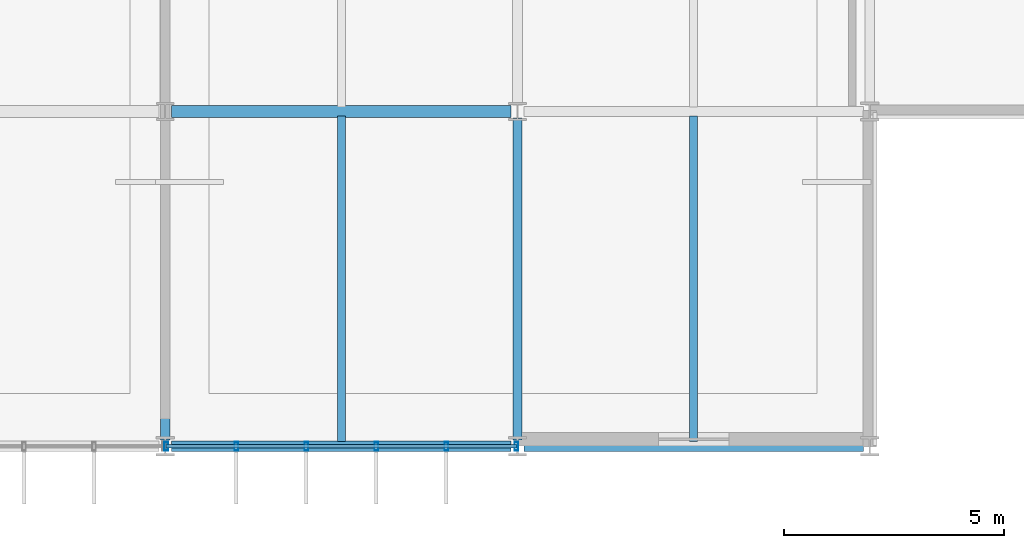
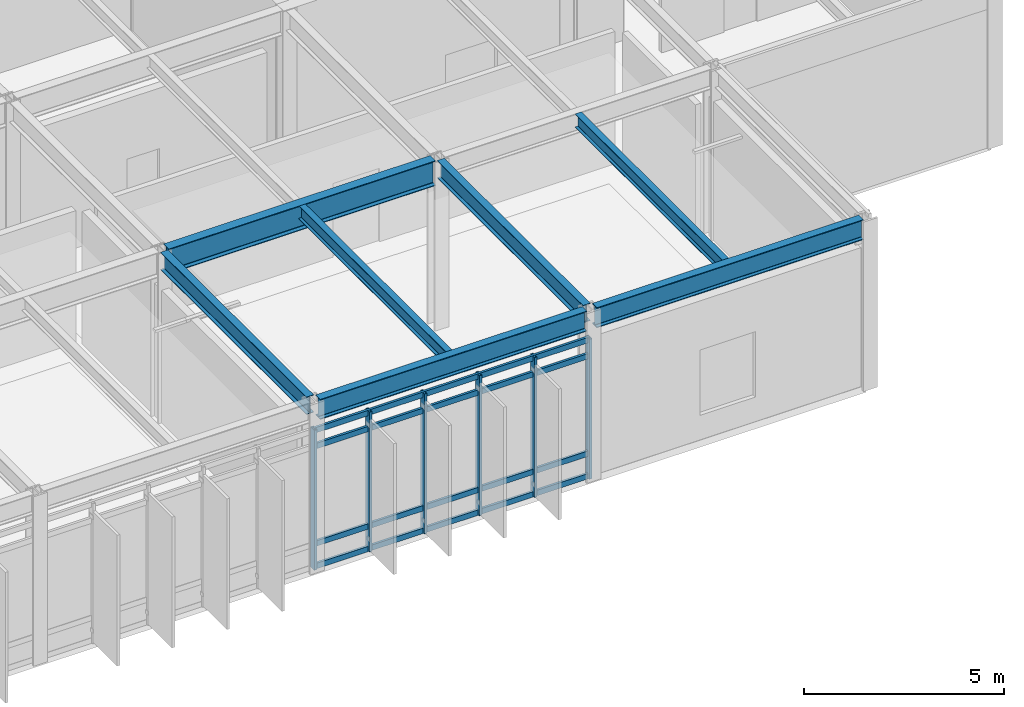
# One storey, part 27 of 94: 10 members, 7 beams, 1 element without a shape of its own.
"""IFC4 building model written with IfcOpenShell, lengths in metres."""

from ifc_helpers import new_model, si_unit, direction, frame, origin, origin_2d, place, context, subcontext, project, spatial, hollow_rectangle, i_section, extrude, material, material_profile, profile_set, type_object, element, aggregate, save


model = new_model("IFC4")

# Units and contexts
model_context = context("Model", 3, precision=1e-05, world=origin(), true_north=direction((0.0, 1.0)))
body_context = subcontext(model_context, "Body", "Model", "MODEL_VIEW")
ifc_project = project(units=[si_unit("LENGTHUNIT", "METRE"), si_unit("AREAUNIT", "SQUARE_METRE"), si_unit("VOLUMEUNIT", "CUBIC_METRE"), si_unit("PLANEANGLEUNIT", "RADIAN"), si_unit("MASSUNIT", "GRAM", prefix="KILO")], contexts=[model_context])

# Site, building, storey
site_placement = place(None, origin())
site = spatial("IfcSite", under=ifc_project, at=site_placement, CompositionType="ELEMENT")
building_placement = place(site_placement, origin())
building = spatial("IfcBuilding", under=site, at=building_placement, Name="Zulena Civic Courthouse", CompositionType="ELEMENT")
storey_placement = place(building_placement, frame((0.0, 0.0, 5.39990234375)))
storey = spatial("IfcBuildingStorey", under=building, at=storey_placement, Name="L01", CompositionType="ELEMENT", Elevation=5.39990234375)

# Curtain wall, members
ifc_material_1 = material(Name="Double-silver low-E laminated solar-control glass", Category="glass")
curtain_wall_type = type_object("IfcCurtainWallType", Name="CW_7952x4280", PredefinedType="USERDEFINED", material=ifc_material_1)
curtain_wall_placement = place(storey_placement, origin())
curtain_wall = element("IfcCurtainWall", 1, at=curtain_wall_placement, inside=storey, type_object=curtain_wall_type, Name="cw:V2:L01:5:1", ObjectType="UNITISED CURTAIN WALL", PredefinedType="USERDEFINED")
ifc_material_2 = material(Name="Bronze anodised thermally broken aluminium AA6063-T6", Category="aluminium")
ifc_material_profile_1 = material_profile(ifc_material_2, hollow_rectangle(XDim=0.080078125, YDim=0.199951171875, WallThickness=0.0048828125, at=origin_2d()), Name="CWM200X80X5")
ifc_profile_set_1 = profile_set([ifc_material_profile_1], Name="Bronze anodised thermally broken aluminium AA6063-T6")
member_type_1 = type_object("IfcMemberType", Name="CWMullion_200x80", PredefinedType="MULLION", material=ifc_profile_set_1)
member_1_placement = place(storey_placement, frame((43.97607421875, 0.0, 0.0), z_axis=(0.0, 0.0, 1.0), x_axis=(1.0, 0.0, 0.0)))
member_1 = element("IfcMember", 2, at=member_1_placement, type_object=member_type_1, Name="cw:V2:L01:5:1:mull:0", PredefinedType="MULLION", context=body_context, shape_type="SweptSolid", body=[
    extrude(hollow_rectangle(XDim=0.080078125, YDim=0.199951171875, WallThickness=0.0048828125, at=origin_2d()), origin(), (0.0, 0.0, 1.0), 4.280029296875),
])
member_2_placement = place(storey_placement, frame((42.385498046875, 0.0, 0.0), z_axis=(0.0, 0.0, 1.0), x_axis=(1.0, 0.0, 0.0)))
member_2 = element("IfcMember", 3, at=member_2_placement, type_object=member_type_1, Name="cw:V2:L01:5:1:mull:1", PredefinedType="MULLION", context=body_context, shape_type="SweptSolid", body=[
    extrude(hollow_rectangle(XDim=0.080078125, YDim=0.199951171875, WallThickness=0.0048828125, at=origin_2d()), origin(), (0.0, 0.0, 1.0), 4.280029296875),
])
member_3_placement = place(storey_placement, frame((40.795166015625, 0.0, 0.0), z_axis=(0.0, 0.0, 1.0), x_axis=(1.0, 0.0, 0.0)))
member_3 = element("IfcMember", 4, at=member_3_placement, type_object=member_type_1, Name="cw:V2:L01:5:1:mull:2", PredefinedType="MULLION", context=body_context, shape_type="SweptSolid", body=[
    extrude(hollow_rectangle(XDim=0.080078125, YDim=0.199951171875, WallThickness=0.0048828125, at=origin_2d()), origin(), (0.0, 0.0, 1.0), 4.280029296875),
])
member_4_placement = place(storey_placement, frame((39.204833984375, 0.0, 0.0), z_axis=(0.0, 0.0, 1.0), x_axis=(1.0, 0.0, 0.0)))
member_4 = element("IfcMember", 5, at=member_4_placement, type_object=member_type_1, Name="cw:V2:L01:5:1:mull:3", PredefinedType="MULLION", context=body_context, shape_type="SweptSolid", body=[
    extrude(hollow_rectangle(XDim=0.080078125, YDim=0.199951171875, WallThickness=0.0048828125, at=origin_2d()), origin(), (0.0, 0.0, 1.0), 4.280029296875),
])
member_5_placement = place(storey_placement, frame((37.614501953125, 0.0, 0.0), z_axis=(0.0, 0.0, 1.0), x_axis=(1.0, 0.0, 0.0)))
member_5 = element("IfcMember", 6, at=member_5_placement, type_object=member_type_1, Name="cw:V2:L01:5:1:mull:4", PredefinedType="MULLION", context=body_context, shape_type="SweptSolid", body=[
    extrude(hollow_rectangle(XDim=0.080078125, YDim=0.199951171875, WallThickness=0.0048828125, at=origin_2d()), origin(), (0.0, 0.0, 1.0), 4.280029296875),
])
member_6_placement = place(storey_placement, frame((36.02392578125, 0.0, 0.0), z_axis=(0.0, 0.0, 1.0), x_axis=(1.0, 0.0, 0.0)))
member_6 = element("IfcMember", 7, at=member_6_placement, type_object=member_type_1, Name="cw:V2:L01:5:1:mull:5", PredefinedType="MULLION", context=body_context, shape_type="SweptSolid", body=[
    extrude(hollow_rectangle(XDim=0.080078125, YDim=0.199951171875, WallThickness=0.0048828125, at=origin_2d()), origin(), (0.0, 0.0, 1.0), 4.280029296875),
])
ifc_material_profile_2 = material_profile(ifc_material_2, hollow_rectangle(XDim=0.070068359375, YDim=0.1650390625, WallThickness=0.00390625, at=origin_2d()), Name="CWT165X70X4")
ifc_profile_set_2 = profile_set([ifc_material_profile_2], Name="Bronze anodised thermally broken aluminium AA6063-T6")
member_type_2 = type_object("IfcMemberType", Name="CWTransom_165x70", PredefinedType="USERDEFINED", material=ifc_profile_set_2)
member_7_placement = place(storey_placement, frame((43.97607421875, 0.0, 0.06005859375), z_axis=(-1.0, 0.0, 0.0), x_axis=(0.0, -1.0, 0.0)))
member_7 = element("IfcMember", 8, at=member_7_placement, type_object=member_type_2, Name="cw:V2:L01:5:1:tran:0", ObjectType="TRANSOM", PredefinedType="USERDEFINED", context=body_context, shape_type="SweptSolid", body=[
    extrude(hollow_rectangle(XDim=0.070068359375, YDim=0.1650390625, WallThickness=0.00390625, at=origin_2d()), origin(), (0.0, 0.0, 1.0), 7.9521484375),
])
member_8_placement = place(storey_placement, frame((43.97607421875, 0.0, 0.75), z_axis=(-1.0, 0.0, 0.0), x_axis=(0.0, -1.0, 0.0)))
member_8 = element("IfcMember", 9, at=member_8_placement, type_object=member_type_2, Name="cw:V2:L01:5:1:tran:1", ObjectType="TRANSOM", PredefinedType="USERDEFINED", context=body_context, shape_type="SweptSolid", body=[
    extrude(hollow_rectangle(XDim=0.070068359375, YDim=0.1650390625, WallThickness=0.00390625, at=origin_2d()), origin(), (0.0, 0.0, 1.0), 7.9521484375),
])
member_9_placement = place(storey_placement, frame((43.97607421875, 0.0, 3.72998046875), z_axis=(-1.0, 0.0, 0.0), x_axis=(0.0, -1.0, 0.0)))
member_9 = element("IfcMember", 10, at=member_9_placement, type_object=member_type_2, Name="cw:V2:L01:5:1:tran:2", ObjectType="TRANSOM", PredefinedType="USERDEFINED", context=body_context, shape_type="SweptSolid", body=[
    extrude(hollow_rectangle(XDim=0.070068359375, YDim=0.1650390625, WallThickness=0.00390625, at=origin_2d()), origin(), (0.0, 0.0, 1.0), 7.9521484375),
])
member_10_placement = place(storey_placement, frame((43.97607421875, 0.0, 4.22021484375), z_axis=(-1.0, 0.0, 0.0), x_axis=(0.0, -1.0, 0.0)))
member_10 = element("IfcMember", 11, at=member_10_placement, type_object=member_type_2, Name="cw:V2:L01:5:1:tran:3", ObjectType="TRANSOM", PredefinedType="USERDEFINED", context=body_context, shape_type="SweptSolid", body=[
    extrude(hollow_rectangle(XDim=0.070068359375, YDim=0.1650390625, WallThickness=0.00390625, at=origin_2d()), origin(), (0.0, 0.0, 1.0), 7.9521484375),
])
aggregate(curtain_wall, [member_1, member_2, member_3, member_4, member_5, member_6, member_7, member_8, member_9, member_10])

# Beams
ifc_material_3 = material(Name="Steel ASTM A992 Grade 50", Category="steel")
ifc_material_profile_3 = material_profile(ifc_material_3, i_section(OverallWidth=0.26708984375, OverallDepth=0.761962890625, WebThickness=0.014404296875, FlangeThickness=0.021484375, FilletRadius=0.0166015625, at=origin_2d()), Name="W30X116")
ifc_profile_set_3 = profile_set([ifc_material_profile_3], Name="Steel ASTM A992 Grade 50")
beam_type_1 = type_object("IfcBeamType", Name="Girder_W30X116", PredefinedType="BEAM", material=ifc_profile_set_3)
beam_placement = place(storey_placement, frame((36.14501953125, 7.60009765625, 4.80419921875), z_axis=(1.0, 0.0, 0.0), x_axis=(0.0, 1.0, 0.0)))
element("IfcBeam", 12, at=beam_placement, inside=storey, type_object=beam_type_1, Name="beam:X:V2:L01:7.6:36.0_44.0", PredefinedType="BEAM", context=body_context, shape_type="SweptSolid", body=[
    extrude(i_section(OverallWidth=0.26708984375, OverallDepth=0.761962890625, WebThickness=0.014404296875, FlangeThickness=0.021484375, FilletRadius=0.0166015625, at=origin_2d()), origin(), (0.0, 0.0, 1.0), 7.7099609375),
])
ifc_material_profile_4 = material_profile(ifc_material_3, i_section(OverallWidth=0.180908203125, OverallDepth=0.4169921875, WebThickness=0.010986328125, FlangeThickness=0.018310546875, FilletRadius=0.01025390625, at=origin_2d()), Name="W16X57")
ifc_profile_set_4 = profile_set([ifc_material_profile_4], Name="Steel ASTM A992 Grade 50")
beam_type_2 = type_object("IfcBeamType", Name="Joist_W16X57", PredefinedType="JOIST", material=ifc_profile_set_4)
for number, where, z_axis, x_axis, name in (
    (13, (40.0, 0.10498046875, 4.9765625), (0.0, 1.0, 0.0), (-1.0, 0.0, 0.0), "joist:V2:L01:40.00:0.0_7.6"),
    (14, (48.0, 0.10498046875, 4.9765625), (0.0, 1.0, 0.0), (-1.0, 0.0, 0.0), "joist:V2:L01:48.00:0.0_7.6"),
):
    element("IfcBeam", number, at=place(storey_placement, frame(where, z_axis=z_axis, x_axis=x_axis)), inside=storey, type_object=beam_type_2, Name=name, PredefinedType="JOIST", context=body_context, shape_type="SweptSolid", body=[
        extrude(i_section(OverallWidth=0.180908203125, OverallDepth=0.4169921875, WebThickness=0.010986328125, FlangeThickness=0.018310546875, FilletRadius=0.01025390625, at=origin_2d()), origin(), (0.0, 0.0, 1.0), 7.39013671875),
    ])
ifc_material_profile_5 = material_profile(ifc_material_3, i_section(OverallWidth=0.2099609375, OverallDepth=0.537109375, WebThickness=0.010986328125, FlangeThickness=0.017333984375, FilletRadius=0.0126953125, at=origin_2d()), Name="W21X68")
ifc_profile_set_5 = profile_set([ifc_material_profile_5], Name="Steel ASTM A992 Grade 50")
beam_type_3 = type_object("IfcBeamType", Name="Spandrel_W21X68", PredefinedType="SPANDREL", material=ifc_profile_set_5)
for number, where, z_axis, x_axis, name in (
    (15, (36.0, 0.14501953125, 4.91650390625), (0.0, 1.0, 0.0), (-1.0, 0.0, 0.0), "beam:Y:V2:L01:36.0:0.0_7.6"),
    (16, (44.0, 0.14501953125, 4.91650390625), (0.0, 1.0, 0.0), (-1.0, 0.0, 0.0), "beam:Y:V2:L01:44.0:0.0_7.6"),
):
    element("IfcBeam", number, at=place(storey_placement, frame(where, z_axis=z_axis, x_axis=x_axis)), inside=storey, type_object=beam_type_3, Name=name, PredefinedType="SPANDREL", context=body_context, shape_type="SweptSolid", body=[
        extrude(i_section(OverallWidth=0.2099609375, OverallDepth=0.537109375, WebThickness=0.010986328125, FlangeThickness=0.017333984375, FilletRadius=0.0126953125, at=origin_2d()), origin(), (0.0, 0.0, 1.0), 7.31005859375),
    ])
ifc_material_profile_6 = material_profile(ifc_material_3, i_section(OverallWidth=0.22998046875, OverallDepth=0.616943359375, WebThickness=0.01318359375, FlangeThickness=0.022216796875, FilletRadius=0.0126953125, at=origin_2d()), Name="W24X94")
ifc_profile_set_6 = profile_set([ifc_material_profile_6], Name="Steel ASTM A992 Grade 50")
beam_type_4 = type_object("IfcBeamType", Name="Spandrel_W24X94", PredefinedType="SPANDREL", material=ifc_profile_set_6)
for number, where, z_axis, x_axis, name in (
    (17, (36.14501953125, 0.0, 4.876708984375), (1.0, 0.0, 0.0), (0.0, 1.0, 0.0), "beam:X:V2:L01:0.0:36.0_44.0"),
    (18, (44.14501953125, 0.0, 4.876708984375), (1.0, 0.0, 0.0), (0.0, 1.0, 0.0), "beam:X:V2:L01:0.0:44.0_52.0"),
):
    element("IfcBeam", number, at=place(storey_placement, frame(where, z_axis=z_axis, x_axis=x_axis)), inside=storey, type_object=beam_type_4, Name=name, PredefinedType="SPANDREL", context=body_context, shape_type="SweptSolid", body=[
        extrude(i_section(OverallWidth=0.22998046875, OverallDepth=0.616943359375, WebThickness=0.01318359375, FlangeThickness=0.022216796875, FilletRadius=0.0126953125, at=origin_2d()), origin(), (0.0, 0.0, 1.0), 7.7099609375),
    ])

save(model, "model.ifc")
